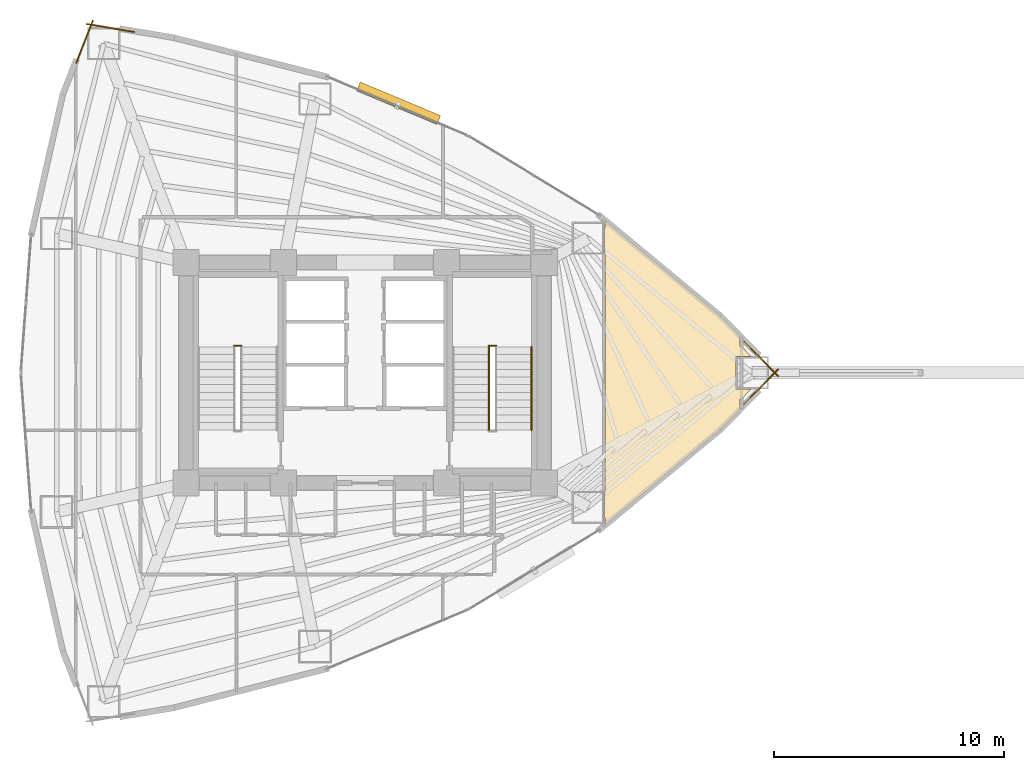
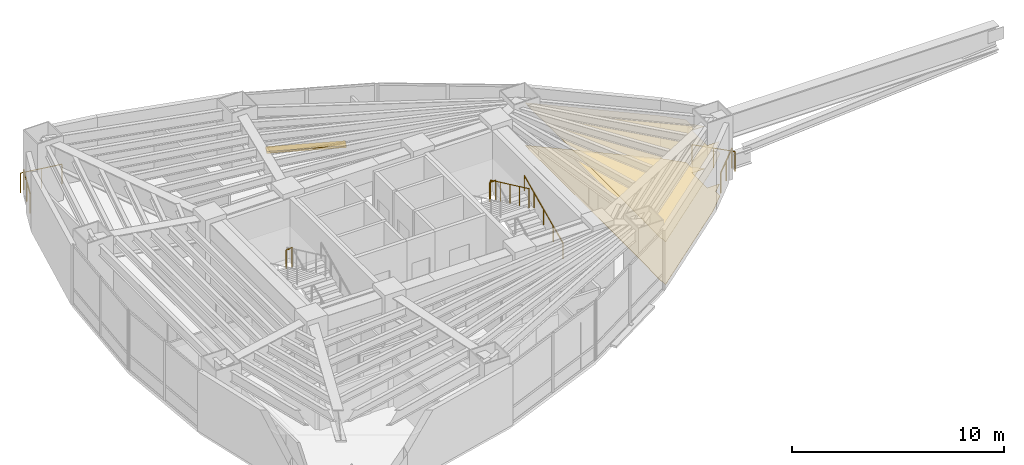
# One storey, part 18 of 18: 8 railings, 2 coverings, 1 shading device.
"""IFC4 building model written with IfcOpenShell, lengths in metres."""

from ifc_helpers import new_model, si_unit, direction, frame, origin, origin_2d, place, context, subcontext, project, spatial, polyline, rectangle, circle, outline, extrude, material, layer, layer_set, type_object, element, save


model = new_model("IFC4")

# Units and contexts
model_context = context("Model", 3, precision=1e-05, world=origin(), true_north=direction((0.0, 1.0)))
body_context = subcontext(model_context, "Body", "Model", "MODEL_VIEW")
ifc_project = project(units=[si_unit("LENGTHUNIT", "METRE"), si_unit("AREAUNIT", "SQUARE_METRE"), si_unit("VOLUMEUNIT", "CUBIC_METRE"), si_unit("PLANEANGLEUNIT", "RADIAN"), si_unit("MASSUNIT", "GRAM", prefix="KILO")], contexts=[model_context])

# Site, building, storey
site_placement = place(None, origin())
site = spatial("IfcSite", under=ifc_project, at=site_placement, CompositionType="ELEMENT")
building_placement = place(site_placement, origin())
building = spatial("IfcBuilding", under=site, at=building_placement, Name="Menara Vayukalpa", CompositionType="ELEMENT")
storey_placement = place(building_placement, frame((0.0, 0.0, 53.639892578125)))
storey = spatial("IfcBuildingStorey", under=building, at=storey_placement, Name="L12", CompositionType="ELEMENT", Elevation=53.639892578125)

# Coverings
ifc_material_1 = material(Name="Mineral Fibre Acoustic Ceiling Tile", Category="masonry")
ifc_layer_1 = layer(ifc_material_1, 0.02490234375)
ifc_layer_set_1 = layer_set([ifc_layer_1], Name="Mineral Fibre Acoustic Ceiling Tile")
covering_type_1 = type_object("IfcCoveringType", Name="COV-CLG1", PredefinedType="CEILING", material=ifc_layer_set_1)
covering_1_placement = place(storey_placement, frame((0.0, 0.0, 2.4501953125)))
element("IfcCovering", 1, at=covering_1_placement, inside=storey, type_object=covering_type_1, Name="L12 Corporate Training Classroom Acoustic Ceiling", PredefinedType="CEILING", context=body_context, shape_type="SweptSolid", body=[
    extrude(outline(polyline([(36.06005859375, 27.14990234375), (36.032958984375, 27.14990234375), (36.032958984375, 28.30078125), (36.06005859375, 28.2783203125), (36.06005859375, 28.60791015625), (36.06005859375, 28.60888671875), (36.060302734375, 28.60986328125), (36.060302734375, 28.610595703125), (36.060791015625, 28.611572265625), (36.061279296875, 28.612548828125), (36.061767578125, 28.61328125), (36.062255859375, 28.6142578125), (36.06298828125, 28.614990234375), (36.063720703125, 28.615478515625), (36.064453125, 28.6162109375), (36.065185546875, 28.61669921875), (36.066162109375, 28.616943359375), (36.067138671875, 28.617431640625), (36.068115234375, 28.61767578125), (36.069091796875, 28.617919921875), (36.070068359375, 28.617919921875), (36.071044921875, 28.61767578125), (36.072021484375, 28.61767578125), (36.072998046875, 28.617431640625), (36.073974609375, 28.616943359375), (36.07470703125, 28.61669921875), (36.07568359375, 28.6162109375), (36.076416015625, 28.615478515625), (41.07763671875, 24.468017578125), (41.078369140625, 24.46728515625), (41.94140625, 23.588134765625), (41.942138671875, 23.58740234375), (41.942626953125, 23.586669921875), (41.943115234375, 23.585693359375), (41.943603515625, 23.5849609375), (41.94384765625, 23.583984375), (41.944091796875, 23.5830078125), (41.9443359375, 23.581787109375), (41.9443359375, 23.580810546875), (41.944091796875, 23.579833984375), (41.944091796875, 23.578857421875), (41.94384765625, 23.577880859375), (41.942626953125, 23.574462890625), (41.941162109375, 23.56884765625), (41.940185546875, 23.56298828125), (41.93994140625, 23.556884765625), (41.93994140625, 23.135009765625), (42.008056640625, 23.135009765625), (42.42041015625, 22.715087890625), (41.749755859375, 22.715087890625), (41.749755859375, 21.284912109375), (42.42041015625, 21.284912109375), (42.008056640625, 20.864990234375), (41.93994140625, 20.864990234375), (41.93994140625, 20.443115234375), (41.940185546875, 20.43701171875), (41.941162109375, 20.43115234375), (41.942626953125, 20.425537109375), (41.94384765625, 20.422119140625), (41.944091796875, 20.421142578125), (41.944091796875, 20.420166015625), (41.9443359375, 20.419189453125), (41.9443359375, 20.418212890625), (41.944091796875, 20.4169921875), (41.94384765625, 20.416015625), (41.943603515625, 20.4150390625), (41.943115234375, 20.414306640625), (41.942626953125, 20.413330078125), (41.942138671875, 20.41259765625), (41.94140625, 20.411865234375), (41.078369140625, 19.53271484375), (41.07763671875, 19.531982421875), (36.076416015625, 15.384521484375), (36.07568359375, 15.3837890625), (36.07470703125, 15.38330078125), (36.073974609375, 15.383056640625), (36.072998046875, 15.382568359375), (36.072021484375, 15.38232421875), (36.071044921875, 15.38232421875), (36.070068359375, 15.382080078125), (36.069091796875, 15.382080078125), (36.068115234375, 15.38232421875), (36.067138671875, 15.382568359375), (36.066162109375, 15.383056640625), (36.065185546875, 15.38330078125), (36.064453125, 15.3837890625), (36.063720703125, 15.384521484375), (36.06298828125, 15.385009765625), (36.062255859375, 15.3857421875), (36.061767578125, 15.38671875), (36.061279296875, 15.387451171875), (36.060791015625, 15.388427734375), (36.060302734375, 15.389404296875), (36.060302734375, 15.39013671875), (36.06005859375, 15.39111328125), (36.06005859375, 15.39208984375), (36.06005859375, 15.7216796875), (36.032958984375, 15.69921875), (36.032958984375, 16.85009765625), (36.06005859375, 16.85009765625), (36.06005859375, 27.14990234375)])), origin(), (0.0, 0.0, 1.0), 0.02490234375),
])
ifc_material_2 = material(Name="Porcelain Stoneware Floor Tile", Category="masonry")
ifc_layer_2 = layer(ifc_material_2, 0.02001953125)
ifc_layer_set_2 = layer_set([ifc_layer_2], Name="Porcelain Stoneware Floor Tile")
covering_type_2 = type_object("IfcCoveringType", Name="COV-FLR1", PredefinedType="FLOORING", material=ifc_layer_set_2)
covering_2_placement = place(storey_placement, origin())
element("IfcCovering", 2, at=covering_2_placement, inside=storey, type_object=covering_type_2, Name="L12 Corporate Training Classroom Porcelain Flooring", PredefinedType="FLOORING", context=body_context, shape_type="SweptSolid", body=[
    extrude(outline(polyline([(36.06005859375, 27.14990234375), (36.032958984375, 27.14990234375), (36.032958984375, 28.30078125), (36.06005859375, 28.2783203125), (36.06005859375, 28.60791015625), (36.06005859375, 28.60888671875), (36.060302734375, 28.60986328125), (36.060302734375, 28.610595703125), (36.060791015625, 28.611572265625), (36.061279296875, 28.612548828125), (36.061767578125, 28.61328125), (36.062255859375, 28.6142578125), (36.06298828125, 28.614990234375), (36.063720703125, 28.615478515625), (36.064453125, 28.6162109375), (36.065185546875, 28.61669921875), (36.066162109375, 28.616943359375), (36.067138671875, 28.617431640625), (36.068115234375, 28.61767578125), (36.069091796875, 28.617919921875), (36.070068359375, 28.617919921875), (36.071044921875, 28.61767578125), (36.072021484375, 28.61767578125), (36.072998046875, 28.617431640625), (36.073974609375, 28.616943359375), (36.07470703125, 28.61669921875), (36.07568359375, 28.6162109375), (36.076416015625, 28.615478515625), (41.07763671875, 24.468017578125), (41.078369140625, 24.46728515625), (41.94140625, 23.588134765625), (41.942138671875, 23.58740234375), (41.942626953125, 23.586669921875), (41.943115234375, 23.585693359375), (41.943603515625, 23.5849609375), (41.94384765625, 23.583984375), (41.944091796875, 23.5830078125), (41.9443359375, 23.581787109375), (41.9443359375, 23.580810546875), (41.944091796875, 23.579833984375), (41.944091796875, 23.578857421875), (41.94384765625, 23.577880859375), (41.942626953125, 23.574462890625), (41.941162109375, 23.56884765625), (41.940185546875, 23.56298828125), (41.93994140625, 23.556884765625), (41.93994140625, 23.135009765625), (42.008056640625, 23.135009765625), (42.42041015625, 22.715087890625), (41.749755859375, 22.715087890625), (41.749755859375, 21.284912109375), (42.42041015625, 21.284912109375), (42.008056640625, 20.864990234375), (41.93994140625, 20.864990234375), (41.93994140625, 20.443115234375), (41.940185546875, 20.43701171875), (41.941162109375, 20.43115234375), (41.942626953125, 20.425537109375), (41.94384765625, 20.422119140625), (41.944091796875, 20.421142578125), (41.944091796875, 20.420166015625), (41.9443359375, 20.419189453125), (41.9443359375, 20.418212890625), (41.944091796875, 20.4169921875), (41.94384765625, 20.416015625), (41.943603515625, 20.4150390625), (41.943115234375, 20.414306640625), (41.942626953125, 20.413330078125), (41.942138671875, 20.41259765625), (41.94140625, 20.411865234375), (41.078369140625, 19.53271484375), (41.07763671875, 19.531982421875), (36.076416015625, 15.384521484375), (36.07568359375, 15.3837890625), (36.07470703125, 15.38330078125), (36.073974609375, 15.383056640625), (36.072998046875, 15.382568359375), (36.072021484375, 15.38232421875), (36.071044921875, 15.38232421875), (36.070068359375, 15.382080078125), (36.069091796875, 15.382080078125), (36.068115234375, 15.38232421875), (36.067138671875, 15.382568359375), (36.066162109375, 15.383056640625), (36.065185546875, 15.38330078125), (36.064453125, 15.3837890625), (36.063720703125, 15.384521484375), (36.06298828125, 15.385009765625), (36.062255859375, 15.3857421875), (36.061767578125, 15.38671875), (36.061279296875, 15.387451171875), (36.060791015625, 15.388427734375), (36.060302734375, 15.389404296875), (36.060302734375, 15.39013671875), (36.06005859375, 15.39111328125), (36.06005859375, 15.39208984375), (36.06005859375, 15.7216796875), (36.032958984375, 15.69921875), (36.032958984375, 16.85009765625), (36.06005859375, 16.85009765625), (36.06005859375, 27.14990234375)])), origin(), (0.0, 0.0, 1.0), 0.02001953125),
])

# Railings
ifc_material_3 = material(Name="Laminated Glass and Stainless Steel 316 Guardrail", Category="steel")
railing_type_1 = type_object("IfcRailingType", Name="RLG-EXT115", PredefinedType="GUARDRAIL", material=ifc_material_3)
railing_1_placement = place(storey_placement, frame((42.10888671875, 20.6396484375, 0.0)))
element("IfcRailing", 3, at=railing_1_placement, inside=storey, type_object=railing_type_1, Name="L12 Column Corner Spandrel Guardrail 01-1", PredefinedType="GUARDRAIL", context=body_context, shape_type="SweptSolid", body=[
    extrude(circle(Radius=0.02392578125, at=origin_2d()), frame((0.0, 0.0, 1.1259765625), z_axis=(0.700673401428, 0.713482154319, 0.0), x_axis=(-0.713482154319, 0.700673401428, 0.0)), (0.0, 0.0, 1.0), 2.11572265625),
    extrude(circle(Radius=0.02099609375, at=origin_2d()), origin(), (0.0, 0.0, 1.0), 1.101806640625),
    extrude(circle(Radius=0.02099609375, at=origin_2d()), frame((0.7412109375, 0.7548828125, 0.0)), (0.0, 0.0, 1.0), 1.101806640625),
    extrude(circle(Radius=0.02099609375, at=origin_2d()), frame((1.482421875, 1.509521484375, 0.0)), (0.0, 0.0, 1.0), 1.101806640625),
])
railing_2_placement = place(storey_placement, frame((43.59130859375, 21.850830078125, 0.0)))
element("IfcRailing", 4, at=railing_2_placement, inside=storey, type_object=railing_type_1, Name="L12 Column Corner Spandrel Guardrail 02-1", PredefinedType="GUARDRAIL", context=body_context, shape_type="SweptSolid", body=[
    extrude(circle(Radius=0.02392578125, at=origin_2d()), frame((0.0, 0.0, 1.1259765625), z_axis=(-0.700673401428, 0.713482154319, 0.0), x_axis=(-0.713482154319, -0.700673401428, 0.0)), (0.0, 0.0, 1.0), 2.11572265625),
    extrude(circle(Radius=0.02099609375, at=origin_2d()), origin(), (0.0, 0.0, 1.0), 1.101806640625),
    extrude(circle(Radius=0.02099609375, at=origin_2d()), frame((-0.7412109375, 0.7548828125, 0.0)), (0.0, 0.0, 1.0), 1.101806640625),
    extrude(circle(Radius=0.02099609375, at=origin_2d()), frame((-1.482421875, 1.509521484375, 0.0)), (0.0, 0.0, 1.0), 1.101806640625),
])
railing_3_placement = place(storey_placement, frame((15.541015625, 36.840087890625, 0.0)))
element("IfcRailing", 5, at=railing_3_placement, inside=storey, type_object=railing_type_1, Name="L12 Column Corner Spandrel Guardrail 07-1", PredefinedType="GUARDRAIL", context=body_context, shape_type="SweptSolid", body=[
    extrude(circle(Radius=0.02392578125, at=origin_2d()), frame((0.0, 0.0, 1.1259765625), z_axis=(-0.985904350491, 0.167309927029, 0.0), x_axis=(-0.167309927029, -0.985904350491, 0.0)), (0.0, 0.0, 1.0), 2.093994140625),
    extrude(circle(Radius=0.02099609375, at=origin_2d()), origin(), (0.0, 0.0, 1.0), 1.101806640625),
    extrude(circle(Radius=0.02099609375, at=origin_2d()), frame((-1.0322265625, 0.17529296875, 0.0)), (0.0, 0.0, 1.0), 1.101806640625),
    extrude(circle(Radius=0.02099609375, at=origin_2d()), frame((-2.064453125, 0.350341796875, 0.0)), (0.0, 0.0, 1.0), 1.101806640625),
])
railing_4_placement = place(storey_placement, frame((13.74755859375, 37.343505859375, 0.0)))
element("IfcRailing", 6, at=railing_4_placement, inside=storey, type_object=railing_type_1, Name="L12 Column Corner Spandrel Guardrail 08-1", PredefinedType="GUARDRAIL", context=body_context, shape_type="SweptSolid", body=[
    extrude(circle(Radius=0.02392578125, at=origin_2d()), frame((0.0, 0.0, 1.1259765625), z_axis=(-0.365580158762, -0.930779859859, 0.0), x_axis=(0.930779859859, -0.365580158762, 0.0)), (0.0, 0.0, 1.0), 1.9873046875),
    extrude(circle(Radius=0.02099609375, at=origin_2d()), origin(), (0.0, 0.0, 1.0), 1.101806640625),
    extrude(circle(Radius=0.02099609375, at=origin_2d()), frame((-0.36328125, -0.9248046875, 0.0)), (0.0, 0.0, 1.0), 1.101806640625),
    extrude(circle(Radius=0.02099609375, at=origin_2d()), frame((-0.7265625, -1.849853515625, 0.0)), (0.0, 0.0, 1.0), 1.101806640625),
])
ifc_material_4 = material(Name="Powder-Coated Galvanised Steel Guardrail", Category="steel")
railing_type_2 = type_object("IfcRailingType", Name="RLG-STG110", PredefinedType="GUARDRAIL", material=ifc_material_4)
for number, where, name in (
    (7, (20.2099609375, 23.179931640625, 1.860107421875), "L12 ST-1 stair guard 2"),
    (8, (31.31005859375, 23.179931640625, 1.860107421875), "L12 ST-2 stair guard 2"),
):
    element("IfcRailing", number, at=place(storey_placement, frame(where)), inside=storey, type_object=railing_type_2, Name=name, PredefinedType="GUARDRAIL", context=body_context, shape_type="SweptSolid", body=[
        extrude(circle(Radius=0.02392578125, at=origin_2d()), frame((0.0, 0.0, 1.09619140625), z_axis=(-1.0, 0.0, 0.0), x_axis=(0.0, -1.0, 0.0)), (0.0, 0.0, 1.0), 0.320068359375),
        extrude(circle(Radius=0.02099609375, at=origin_2d()), origin(), (0.0, 0.0, 1.0), 1.072021484375),
        extrude(circle(Radius=0.02099609375, at=origin_2d()), frame((-0.320068359375, 0.0, 0.0)), (0.0, 0.0, 1.0), 1.072021484375),
    ])
railing_5_placement = place(storey_placement, frame((31.0, 23.1298828125, 2.01513671875)))
element("IfcRailing", 9, at=railing_5_placement, inside=storey, type_object=railing_type_2, Name="L12 ST-2 stair guard 3", PredefinedType="GUARDRAIL", context=body_context, shape_type="SweptSolid", body=[
    extrude(circle(Radius=0.02392578125, at=origin_2d()), frame((0.0, 0.0, 1.09619140625), z_axis=(0.0, -0.90511648382, 0.425163675209), x_axis=(1.0, 0.0, 0.0)), (0.0, 0.0, 1.0), 4.010498046875),
    extrude(circle(Radius=0.02099609375, at=origin_2d()), origin(), (0.0, 0.0, 1.0), 1.072021484375),
    extrude(circle(Radius=0.02099609375, at=origin_2d()), frame((0.0, -0.907470703125, 0.42626953125)), (0.0, 0.0, 1.0), 1.072021484375),
    extrude(circle(Radius=0.02099609375, at=origin_2d()), frame((0.0, -1.81494140625, 0.8525390625)), (0.0, 0.0, 1.0), 1.072021484375),
    extrude(circle(Radius=0.02099609375, at=origin_2d()), frame((0.0, -2.722412109375, 1.27880859375)), (0.0, 0.0, 1.0), 1.072021484375),
    extrude(circle(Radius=0.02099609375, at=origin_2d()), frame((0.0, -3.6298828125, 1.705078125)), (0.0, 0.0, 1.0), 1.072021484375),
])
ifc_material_5 = material(Name="Stainless Steel 316 Tubular Handrail", Category="steel")
railing_type_3 = type_object("IfcRailingType", Name="RLG-STH090", PredefinedType="HANDRAIL", material=ifc_material_5)
railing_6_placement = place(storey_placement, frame((32.85009765625, 19.5, 0.155029296875)))
element("IfcRailing", 10, at=railing_6_placement, inside=storey, type_object=railing_type_3, Name="L12 ST-2 stair handrail 1", PredefinedType="HANDRAIL", context=body_context, shape_type="SweptSolid", body=[
    extrude(circle(Radius=0.02392578125, at=origin_2d()), frame((0.0, 0.0, 0.8759765625), z_axis=(0.0, 0.90511648382, 0.425163675209), x_axis=(-1.0, 0.0, 0.0)), (0.0, 0.0, 1.0), 4.010498046875),
    extrude(circle(Radius=0.02099609375, at=origin_2d()), origin(), (0.0, 0.0, 1.0), 0.851806640625),
    extrude(circle(Radius=0.02099609375, at=origin_2d()), frame((0.0, 0.907470703125, 0.42626953125)), (0.0, 0.0, 1.0), 0.851806640625),
    extrude(circle(Radius=0.02099609375, at=origin_2d()), frame((0.0, 1.81494140625, 0.8525390625)), (0.0, 0.0, 1.0), 0.851806640625),
    extrude(circle(Radius=0.02099609375, at=origin_2d()), frame((0.0, 2.722412109375, 1.27880859375)), (0.0, 0.0, 1.0), 0.851806640625),
    extrude(circle(Radius=0.02099609375, at=origin_2d()), frame((0.0, 3.6298828125, 1.705078125)), (0.0, 0.0, 1.0), 0.851806640625),
])

# Shading device
ifc_material_6 = material(Name="Glazed Terracotta Ceramic Baguette Extrusion", Category="masonry")
ifc_layer_3 = layer(ifc_material_6, 0.1201171875)
ifc_layer_set_3 = layer_set([ifc_layer_3], Name="Glazed Terracotta Ceramic Baguette Extrusion")
shading_device_type = type_object("IfcShadingDeviceType", Name="SHD-SS1", PredefinedType="USERDEFINED", material=ifc_layer_set_3)
shading_device_placement = place(storey_placement, frame((27.060791015625, 33.740478515625, -0.099853515625), z_axis=(0.0, 0.0, 1.0), x_axis=(-0.922544824647, 0.385889940938, 0.0)))
element("IfcShadingDevice", 11, at=shading_device_placement, inside=storey, type_object=shading_device_type, Name="L12 Horizontal Terracotta Sunshade Band 05", ObjectType="SUNSHADE", PredefinedType="USERDEFINED", context=body_context, shape_type="SweptSolid", body=[
    extrude(rectangle(XDim=3.800048828125, YDim=0.419921875, at=origin_2d()), origin(), (0.0, 0.0, 1.0), 0.1201171875),
])

save(model, "model.ifc")
